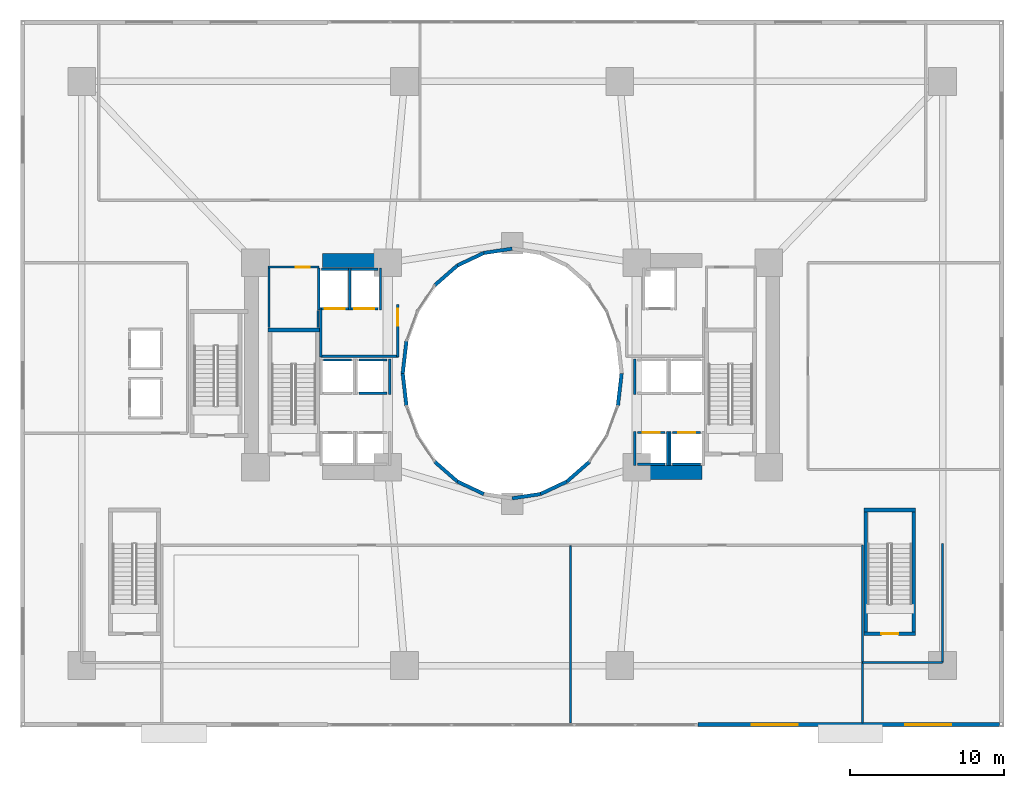
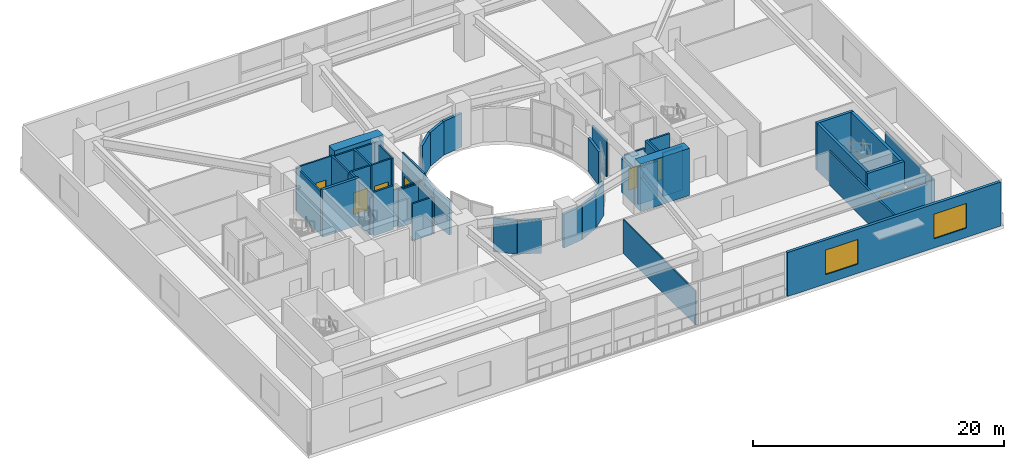
# One storey, part 16 of 25: 48 walls, 7 doors, 2 windows, 9 openings.
"""IFC4 building model written with IfcOpenShell, lengths in metres."""

from ifc_helpers import new_model, si_unit, direction, frame, frame_2d, origin, place, context, subcontext, project, spatial, rectangle, extrude, material, layer, layer_set, type_object, element, fill, save


model = new_model("IFC4")

# Units and contexts
model_context = context("Model", 3, precision=1e-05, world=origin(), true_north=direction((0.0, 1.0)))
body_context = subcontext(model_context, "Body", "Model", "MODEL_VIEW")
ifc_project = project(units=[si_unit("LENGTHUNIT", "METRE"), si_unit("AREAUNIT", "SQUARE_METRE"), si_unit("VOLUMEUNIT", "CUBIC_METRE"), si_unit("PLANEANGLEUNIT", "RADIAN"), si_unit("MASSUNIT", "GRAM", prefix="KILO")], contexts=[model_context])

# Site, building, storey
site_placement = place(None, origin())
site = spatial("IfcSite", under=ifc_project, at=site_placement, CompositionType="ELEMENT")
building_placement = place(site_placement, origin())
building = spatial("IfcBuilding", under=site, at=building_placement, Name="Solvane Sanctuary Tower", CompositionType="ELEMENT")
storey_placement = place(building_placement, frame((0.0, 0.0, 4.60009765625)))
storey = spatial("IfcBuildingStorey", under=building, at=storey_placement, Name="L02", CompositionType="ELEMENT", Elevation=4.60009765625)

# Walls
ifc_material_1 = material(Name="Concrete C70/85", Category="concrete")
ifc_layer_1 = layer(ifc_material_1, 0.89990234375, Name="Concrete C70/85")
ifc_layer_set_1 = layer_set([ifc_layer_1], Name="Concrete C70/85")
wall_type_1 = type_object("IfcWallType", Name="Wall W-CORE-900", PredefinedType="SHEAR", material=ifc_layer_set_1)
for number, where, z_axis, x_axis, name in (
    (1, (19.64990234375, 30.35009765625, 0.0), (0.0, 0.0, 1.0), (1.0, 0.0, 0.0), "L02 Core Shear Wall WC-N"),
    (2, (39.85009765625, 16.550048828125, 0.0), (0.0, 0.0, 1.0), (1.0, 0.0, 0.0), "L02 Core Shear Wall EC-S"),
):
    element("IfcWall", number, at=place(storey_placement, frame(where, z_axis=z_axis, x_axis=x_axis)), inside=storey, type_object=wall_type_1, Name=name, PredefinedType="SHEAR", context=body_context, shape_type="SweptSolid", body=[
        extrude(rectangle(XDim=4.5, YDim=0.89990234375, at=frame_2d((2.25, 0.0))), origin(), (0.0, 0.0, 1.0), 4.599853515625),
    ])
ifc_material_2 = material(Name="Acoustic Gypsum Partition Board")
ifc_layer_2 = layer(ifc_material_2, 0.14990234375, Name="Acoustic Gypsum Partition Board")
ifc_layer_set_2 = layer_set([ifc_layer_2], Name="Acoustic Gypsum Partition Board")
wall_type_2 = type_object("IfcWallType", Name="Wall W-CORR-150", PredefinedType="PARTITIONING", material=ifc_layer_set_2)
wall_1_placement = place(storey_placement, frame((19.52001953125, 24.1201171875, 0.0), z_axis=(0.0, 0.0, 1.0), x_axis=(1.0, 0.0, 0.0)))
element("IfcWall", 3, at=wall_1_placement, inside=storey, type_object=wall_type_2, Name="L02 West Firefighting Lobby South Wall", PredefinedType="PARTITIONING", context=body_context, shape_type="SweptSolid", body=[
    extrude(rectangle(XDim=5.080078125, YDim=0.14990234375, at=frame_2d((2.5400390625, 0.0))), origin(), (0.0, 0.0, 1.0), 3.619873046875),
])
wall_2_placement = place(storey_placement, frame((19.550048828125, 24.080078125, 0.0), z_axis=(0.0, 0.0, 1.0), x_axis=(0.0, 1.0, 0.0)))
element("IfcWall", 4, at=wall_2_placement, inside=storey, type_object=wall_type_2, Name="L02 West Firefighting Lobby West Wall", PredefinedType="PARTITIONING", context=body_context, shape_type="SweptSolid", body=[
    extrude(rectangle(XDim=3.199951171875, YDim=0.14990234375, at=frame_2d((1.60009765625, 0.0))), origin(), (0.0, 0.0, 1.0), 4.2548828125),
])

# Wall, opening, door
wall_3_placement = place(storey_placement, frame((24.550048828125, 24.080078125, 0.0), z_axis=(0.0, 0.0, 1.0), x_axis=(0.0, 1.0, 0.0)))
wall_3 = element("IfcWall", 5, at=wall_3_placement, inside=storey, type_object=wall_type_2, Name="L02 West Firefighting Lobby East Wall", PredefinedType="PARTITIONING", context=body_context, shape_type="SweptSolid", body=[
    extrude(rectangle(XDim=3.39990234375, YDim=0.14990234375, at=frame_2d((1.699951171875, 0.0))), origin(), (0.0, 0.0, 1.0), 4.2548828125),
])
opening_1_placement = place(wall_3_placement, frame((2.02001953125, 0.0, 0.0)))
opening_1 = element("IfcOpeningElement", 6, at=opening_1_placement, cuts=wall_3, Name="Opening D-L02-06", PredefinedType="OPENING", context=body_context, shape_type="SweptSolid", body=[
    extrude(rectangle(XDim=1.10009765625, YDim=2.10009765625, at=frame_2d((0.550048828125, 1.050048828125))), frame((0.0, 0.0849609375, 0.0), z_axis=(0.0, -1.0, 0.0), x_axis=(1.0, 0.0, 0.0)), (0.0, 0.0, 1.0), 0.169921875),
])
ifc_material_3 = material(Name="Architectural Stainless Steel 316", Category="steel")
door_type_1 = type_object("IfcDoorType", Name="Door D-FFL", OperationType="NOTDEFINED", PredefinedType="DOOR", material=ifc_material_3)
door_1_placement = place(opening_1_placement, origin())
door_1 = element("IfcDoor", 7, at=door_1_placement, inside=storey, type_object=door_type_1, Name="L02 West Firefighting Lobby Fire Door", OperationType="SINGLE_SWING_LEFT", OverallHeight=2.10009765625, OverallWidth=1.10009765625, PredefinedType="DOOR", context=body_context, shape_type="SweptSolid", body=[
    extrude(rectangle(XDim=1.10009765625, YDim=2.10009765625, at=frame_2d((0.550048828125, 1.050048828125))), frame((0.0, 0.02490234375, 0.0), z_axis=(0.0, -1.0, 0.0), x_axis=(1.0, 0.0, 0.0)), (0.0, 0.0, 1.0), 0.050048828125),
])
fill(opening_1, door_1)

# Walls
wall_4_placement = place(storey_placement, frame((54.800048828125, 0.25, 0.0), z_axis=(0.0, 0.0, 1.0), x_axis=(0.0, 1.0, 0.0)))
element("IfcWall", 8, at=wall_4_placement, inside=storey, type_object=wall_type_2, Name="L02 East Hall End Wall", PredefinedType="PARTITIONING", context=body_context, shape_type="SweptSolid", body=[
    extrude(rectangle(XDim=11.580078125, YDim=0.14990234375, at=frame_2d((5.7900390625, 0.0))), origin(), (0.0, 0.0, 1.0), 3.2998046875),
])
wall_5_placement = place(storey_placement, frame((60.0, 4.199951171875, 0.0), z_axis=(0.0, 0.0, 1.0), x_axis=(0.0, 1.0, 0.0)))
element("IfcWall", 9, at=wall_5_placement, inside=storey, type_object=wall_type_2, Name="L02 ST-5 Link East Wall", PredefinedType="PARTITIONING", context=body_context, shape_type="SweptSolid", body=[
    extrude(rectangle(XDim=7.75, YDim=0.14990234375, at=frame_2d((3.875, 0.0))), origin(), (0.0, 0.0, 1.0), 3.2998046875),
])
wall_6_placement = place(storey_placement, frame((54.800048828125, 4.199951171875, 0.0), z_axis=(0.0, 0.0, 1.0), x_axis=(1.0, 0.0, 0.0)))
element("IfcWall", 10, at=wall_6_placement, inside=storey, type_object=wall_type_2, Name="L02 ST-5 Lobby South Wall", PredefinedType="PARTITIONING", context=body_context, shape_type="SweptSolid", body=[
    extrude(rectangle(XDim=5.199951171875, YDim=0.14990234375, at=frame_2d((2.60009765625, 0.0))), origin(), (0.0, 0.0, 1.0), 3.2998046875),
])

# Wall, openings, windows
ifc_material_4 = material(Name="Precast concrete C40/50", Category="concrete")
ifc_layer_3 = layer(ifc_material_4, 0.260009765625, Name="Precast concrete C40/50")
ifc_layer_set_3 = layer_set([ifc_layer_3], Name="Precast concrete C40/50")
wall_type_3 = type_object("IfcWallType", Name="Wall W-EXT-250", PredefinedType="STANDARD", material=ifc_layer_set_3)
wall_7_placement = place(storey_placement, frame((44.080078125, 0.14990234375, 0.0), z_axis=(0.0, 0.0, 1.0), x_axis=(1.0, 0.0, 0.0)))
wall_7 = element("IfcWall", 11, at=wall_7_placement, inside=storey, type_object=wall_type_3, Name="L02 Podium Facade Wall S3", PredefinedType="STANDARD", context=body_context, shape_type="SweptSolid", body=[
    extrude(rectangle(XDim=19.639892578125, YDim=0.260009765625, at=frame_2d((9.81982421875, 0.0))), origin(), (0.0, 0.0, 1.0), 4.27978515625),
])
opening_2_placement = place(wall_7_placement, frame((3.5, 0.0, 0.89990234375)))
opening_2 = element("IfcOpeningElement", 12, at=opening_2_placement, cuts=wall_7, Name="Opening WN-POD-3000", PredefinedType="OPENING", context=body_context, shape_type="SweptSolid", body=[
    extrude(rectangle(XDim=3.0, YDim=2.39990234375, at=frame_2d((1.5, 1.199951171875))), frame((0.0, 0.139892578125, 0.0), z_axis=(0.0, -1.0, 0.0), x_axis=(1.0, 0.0, 0.0)), (0.0, 0.0, 1.0), 0.280029296875),
])
opening_3_placement = place(wall_7_placement, frame((13.5, 0.0, 0.89990234375)))
opening_3 = element("IfcOpeningElement", 13, at=opening_3_placement, cuts=wall_7, Name="Opening WN-POD-3000", PredefinedType="OPENING", context=body_context, shape_type="SweptSolid", body=[
    extrude(rectangle(XDim=3.0, YDim=2.39990234375, at=frame_2d((1.5, 1.199951171875))), frame((0.0, 0.139892578125, 0.0), z_axis=(0.0, -1.0, 0.0), x_axis=(1.0, 0.0, 0.0)), (0.0, 0.0, 1.0), 0.280029296875),
])
ifc_material_5 = material(Name="Dark Ceramic-Fritted Low-E Glass", Category="glass")
window_type = type_object("IfcWindowType", Name="Window WN-POD-3000", PartitioningType="SINGLE_PANEL", PredefinedType="WINDOW", material=ifc_material_5)
window_1_placement = place(opening_2_placement, origin())
window_1 = element("IfcWindow", 14, at=window_1_placement, inside=storey, type_object=window_type, Name="L02 Podium Window S3-3", OverallHeight=2.39990234375, OverallWidth=3.0, PartitioningType="SINGLE_PANEL", PredefinedType="WINDOW", context=body_context, shape_type="SweptSolid", body=[
    extrude(rectangle(XDim=3.0, YDim=2.39990234375, at=frame_2d((1.5, 1.199951171875))), frame((0.0, 0.030029296875, 0.0), z_axis=(0.0, -1.0, 0.0), x_axis=(1.0, 0.0, 0.0)), (0.0, 0.0, 1.0), 0.06005859375),
])
fill(opening_2, window_1)
window_2_placement = place(opening_3_placement, origin())
window_2 = element("IfcWindow", 15, at=window_2_placement, inside=storey, type_object=window_type, Name="L02 Podium Window S3-13", OverallHeight=2.39990234375, OverallWidth=3.0, PartitioningType="SINGLE_PANEL", PredefinedType="WINDOW", context=body_context, shape_type="SweptSolid", body=[
    extrude(rectangle(XDim=3.0, YDim=2.39990234375, at=frame_2d((1.5, 1.199951171875))), frame((0.0, 0.030029296875, 0.0), z_axis=(0.0, -1.0, 0.0), x_axis=(1.0, 0.0, 0.0)), (0.0, 0.0, 1.0), 0.06005859375),
])
fill(opening_3, window_2)

# Walls
ifc_layer_4 = layer(ifc_material_4, 0.22998046875, Name="Precast concrete C40/50")
ifc_layer_set_4 = layer_set([ifc_layer_4], Name="Precast concrete C40/50")
wall_type_4 = type_object("IfcWallType", Name="Wall W-EXT-SP220", PredefinedType="STANDARD", material=ifc_layer_set_4)
wall_8_placement = place(storey_placement, frame((32.0, 31.1201171875, 0.0), z_axis=(0.0, 0.0, 1.0), x_axis=(-0.988901730308, -0.148571086668, 0.0)))
element("IfcWall", 16, at=wall_8_placement, inside=storey, type_object=wall_type_4, Name="L02 Light-Well Enclosure Wall 06", PredefinedType="STANDARD", context=body_context, shape_type="SweptSolid", body=[
    extrude(rectangle(XDim=1.863525390625, YDim=0.22998046875, at=frame_2d((0.931640625, 0.0))), origin(), (0.0, 0.0, 1.0), 3.27978515625),
])
wall_9_placement = place(storey_placement, frame((30.1572265625, 30.84326171875, 0.0), z_axis=(0.0, 0.0, 1.0), x_axis=(-0.904179699603, -0.427152280606, 0.0)))
element("IfcWall", 17, at=wall_9_placement, inside=storey, type_object=wall_type_4, Name="L02 Light-Well Enclosure Wall 07", PredefinedType="STANDARD", context=body_context, shape_type="SweptSolid", body=[
    extrude(rectangle(XDim=1.899169921875, YDim=0.22998046875, at=frame_2d((0.94970703125, 0.0))), origin(), (0.0, 0.0, 1.0), 3.27978515625),
])
wall_10_placement = place(storey_placement, frame((28.43994140625, 30.031982421875, 0.0), z_axis=(0.0, 0.0, 1.0), x_axis=(-0.752576694707, -0.658504607869, 0.0)))
element("IfcWall", 18, at=wall_10_placement, inside=storey, type_object=wall_type_4, Name="L02 Light-Well Enclosure Wall 08", PredefinedType="STANDARD", context=body_context, shape_type="SweptSolid", body=[
    extrude(rectangle(XDim=1.95947265625, YDim=0.22998046875, at=frame_2d((0.979736328125, 0.0))), origin(), (0.0, 0.0, 1.0), 3.27978515625),
])
for number, where, z_axis, x_axis, name in (
    (19, (25.12255859375, 25.1015625, 0.0), (0.0, 0.0, 1.0), (-0.114711713601, -0.993398823617, 0.0), "L02 Light-Well Enclosure Wall 11"),
    (20, (24.8798828125, 23.0, 0.0), (0.0, 0.0, 1.0), (0.114711713601, -0.993398823617, 0.0), "L02 Light-Well Enclosure Wall 12"),
):
    element("IfcWall", number, at=place(storey_placement, frame(where, z_axis=z_axis, x_axis=x_axis)), inside=storey, type_object=wall_type_4, Name=name, PredefinedType="STANDARD", context=body_context, shape_type="SweptSolid", body=[
        extrude(rectangle(XDim=2.115478515625, YDim=0.22998046875, at=frame_2d((1.0576171875, 0.0))), origin(), (0.0, 0.0, 1.0), 3.27978515625),
    ])
wall_11_placement = place(storey_placement, frame((26.96533203125, 17.25830078125, 0.0), z_axis=(0.0, 0.0, 1.0), x_axis=(0.752576694707, -0.658504607869, 0.0)))
element("IfcWall", 21, at=wall_11_placement, inside=storey, type_object=wall_type_4, Name="L02 Light-Well Enclosure Wall 15", PredefinedType="STANDARD", context=body_context, shape_type="SweptSolid", body=[
    extrude(rectangle(XDim=1.95947265625, YDim=0.22998046875, at=frame_2d((0.979736328125, 0.0))), origin(), (0.0, 0.0, 1.0), 3.27978515625),
])
wall_12_placement = place(storey_placement, frame((28.43994140625, 15.968017578125, 0.0), z_axis=(0.0, 0.0, 1.0), x_axis=(0.904179699603, -0.427152280606, 0.0)))
element("IfcWall", 22, at=wall_12_placement, inside=storey, type_object=wall_type_4, Name="L02 Light-Well Enclosure Wall 16", PredefinedType="STANDARD", context=body_context, shape_type="SweptSolid", body=[
    extrude(rectangle(XDim=1.899169921875, YDim=0.22998046875, at=frame_2d((0.94970703125, 0.0))), origin(), (0.0, 0.0, 1.0), 3.27978515625),
])
wall_13_placement = place(storey_placement, frame((32.0, 14.8798828125, 0.0), z_axis=(0.0, 0.0, 1.0), x_axis=(0.988901730308, 0.148571086668, 0.0)))
element("IfcWall", 23, at=wall_13_placement, inside=storey, type_object=wall_type_4, Name="L02 Light-Well Enclosure Wall 18", PredefinedType="STANDARD", context=body_context, shape_type="SweptSolid", body=[
    extrude(rectangle(XDim=1.863525390625, YDim=0.22998046875, at=frame_2d((0.931640625, 0.0))), origin(), (0.0, 0.0, 1.0), 3.27978515625),
])
wall_14_placement = place(storey_placement, frame((33.8427734375, 15.15673828125, 0.0), z_axis=(0.0, 0.0, 1.0), x_axis=(0.904179699603, 0.427152280606, 0.0)))
element("IfcWall", 24, at=wall_14_placement, inside=storey, type_object=wall_type_4, Name="L02 Light-Well Enclosure Wall 19", PredefinedType="STANDARD", context=body_context, shape_type="SweptSolid", body=[
    extrude(rectangle(XDim=1.899169921875, YDim=0.22998046875, at=frame_2d((0.94970703125, 0.0))), origin(), (0.0, 0.0, 1.0), 3.27978515625),
])
wall_15_placement = place(storey_placement, frame((35.56005859375, 15.968017578125, 0.0), z_axis=(0.0, 0.0, 1.0), x_axis=(0.752576694707, 0.658504607869, 0.0)))
element("IfcWall", 25, at=wall_15_placement, inside=storey, type_object=wall_type_4, Name="L02 Light-Well Enclosure Wall 20", PredefinedType="STANDARD", context=body_context, shape_type="SweptSolid", body=[
    extrude(rectangle(XDim=1.95947265625, YDim=0.22998046875, at=frame_2d((0.979736328125, 0.0))), origin(), (0.0, 0.0, 1.0), 3.27978515625),
])
wall_16_placement = place(storey_placement, frame((38.87744140625, 20.8984375, 0.0), z_axis=(0.0, 0.0, 1.0), x_axis=(0.114711713601, 0.993398823617, 0.0)))
element("IfcWall", 26, at=wall_16_placement, inside=storey, type_object=wall_type_4, Name="L02 Light-Well Enclosure Wall 23", PredefinedType="STANDARD", context=body_context, shape_type="SweptSolid", body=[
    extrude(rectangle(XDim=2.115478515625, YDim=0.22998046875, at=frame_2d((1.0576171875, 0.0))), origin(), (0.0, 0.0, 1.0), 3.27978515625),
])
ifc_layer_5 = layer(ifc_material_2, 0.1201171875, Name="Acoustic Gypsum Partition Board")
ifc_layer_set_5 = layer_set([ifc_layer_5], Name="Acoustic Gypsum Partition Board")
wall_type_5 = type_object("IfcWallType", Name="Wall W-MOV-100", PredefinedType="MOVABLE", material=ifc_layer_set_5)
wall_17_placement = place(storey_placement, frame((35.800048828125, 0.25, 0.0), z_axis=(0.0, 0.0, 1.0), x_axis=(0.0, 1.0, 0.0)))
element("IfcWall", 27, at=wall_17_placement, inside=storey, type_object=wall_type_5, Name="L02 Hall Dividing Partition PRAY-M", PredefinedType="MOVABLE", context=body_context, shape_type="SweptSolid", body=[
    extrude(rectangle(XDim=11.530029296875, YDim=0.1201171875, at=frame_2d((5.76513671875, 0.0))), origin(), (0.0, 0.0, 1.0), 3.2998046875),
])

# Wall, opening, door
ifc_material_6 = material(Name="Concrete C50/60", Category="concrete")
ifc_layer_6 = layer(ifc_material_6, 0.14990234375, Name="Concrete C50/60")
ifc_layer_set_6 = layer_set([ifc_layer_6], Name="Concrete C50/60")
wall_type_6 = type_object("IfcWallType", Name="Wall W-SHAFT-150", PredefinedType="SOLIDWALL", material=ifc_layer_set_6)
wall_18_placement = place(storey_placement, frame((40.139892578125, 19.159912109375, 0.0), z_axis=(0.0, 0.0, 1.0), x_axis=(1.0, 0.0, 0.0)))
wall_18 = element("IfcWall", 28, at=wall_18_placement, inside=storey, type_object=wall_type_6, Name="L02 PL-3 Lift Shaft Wall F", PredefinedType="SOLIDWALL", context=body_context, shape_type="SweptSolid", body=[
    extrude(rectangle(XDim=1.820068359375, YDim=0.14990234375, at=frame_2d((0.91015625, 0.0))), origin(), (0.0, 0.0, 1.0), 3.619873046875),
])
opening_4_placement = place(wall_18_placement, frame((0.360107421875, 0.0, 0.0)))
opening_4 = element("IfcOpeningElement", 29, at=opening_4_placement, cuts=wall_18, Name="Opening LD-L02-03", PredefinedType="OPENING", context=body_context, shape_type="SweptSolid", body=[
    extrude(rectangle(XDim=1.10009765625, YDim=2.10009765625, at=frame_2d((0.550048828125, 1.050048828125))), frame((0.0, 0.0849609375, 0.0), z_axis=(0.0, -1.0, 0.0), x_axis=(1.0, 0.0, 0.0)), (0.0, 0.0, 1.0), 0.169921875),
])
door_type_2 = type_object("IfcDoorType", Name="Door LD-PASS-1100", OperationType="NOTDEFINED", PredefinedType="DOOR", material=ifc_material_3)
door_2_placement = place(opening_4_placement, origin())
door_2 = element("IfcDoor", 30, at=door_2_placement, inside=storey, type_object=door_type_2, Name="L02 PL-3 Lift Landing Door", OperationType="DOUBLE_DOOR_SLIDING", OverallHeight=2.10009765625, OverallWidth=1.10009765625, PredefinedType="DOOR", context=body_context, shape_type="SweptSolid", body=[
    extrude(rectangle(XDim=1.10009765625, YDim=2.10009765625, at=frame_2d((0.550048828125, 1.050048828125))), frame((0.0, 0.02490234375, 0.0), z_axis=(0.0, -1.0, 0.0), x_axis=(1.0, 0.0, 0.0)), (0.0, 0.0, 1.0), 0.050048828125),
])
fill(opening_4, door_2)

# Walls
wall_19_placement = place(storey_placement, frame((40.139892578125, 17.10009765625, 0.0), z_axis=(0.0, 0.0, 1.0), x_axis=(1.0, 0.0, 0.0)))
element("IfcWall", 31, at=wall_19_placement, inside=storey, type_object=wall_type_6, Name="L02 PL-3 Lift Shaft Wall B", PredefinedType="SOLIDWALL", context=body_context, shape_type="SweptSolid", body=[
    extrude(rectangle(XDim=1.820068359375, YDim=0.14990234375, at=frame_2d((0.91015625, 0.0))), origin(), (0.0, 0.0, 1.0), 3.619873046875),
])
wall_20_placement = place(storey_placement, frame((39.969970703125, 17.02001953125, 0.0), z_axis=(0.0, 0.0, 1.0), x_axis=(0.0, 1.0, 0.0)))
element("IfcWall", 32, at=wall_20_placement, inside=storey, type_object=wall_type_6, Name="L02 PL-3 Lift Shaft Wall S1", PredefinedType="SOLIDWALL", context=body_context, shape_type="SweptSolid", body=[
    extrude(rectangle(XDim=2.219970703125, YDim=0.14990234375, at=frame_2d((1.10986328125, 0.0))), origin(), (0.0, 0.0, 1.0), 3.2998046875),
])
wall_21_placement = place(storey_placement, frame((42.1298828125, 17.02001953125, 0.0), z_axis=(0.0, 0.0, 1.0), x_axis=(0.0, 1.0, 0.0)))
element("IfcWall", 33, at=wall_21_placement, inside=storey, type_object=wall_type_6, Name="L02 PL-3 Lift Shaft Wall S2", PredefinedType="SOLIDWALL", context=body_context, shape_type="SweptSolid", body=[
    extrude(rectangle(XDim=2.219970703125, YDim=0.14990234375, at=frame_2d((1.10986328125, 0.0))), origin(), (0.0, 0.0, 1.0), 4.2548828125),
])

# Wall, opening, door
wall_22_placement = place(storey_placement, frame((42.43994140625, 19.159912109375, 0.0), z_axis=(0.0, 0.0, 1.0), x_axis=(1.0, 0.0, 0.0)))
wall_22 = element("IfcWall", 34, at=wall_22_placement, inside=storey, type_object=wall_type_6, Name="L02 PL-4 Lift Shaft Wall F", PredefinedType="SOLIDWALL", context=body_context, shape_type="SweptSolid", body=[
    extrude(rectangle(XDim=1.820068359375, YDim=0.14990234375, at=frame_2d((0.91015625, 0.0))), origin(), (0.0, 0.0, 1.0), 4.2548828125),
])
opening_5_placement = place(wall_22_placement, frame((0.360107421875, 0.0, 0.0)))
opening_5 = element("IfcOpeningElement", 35, at=opening_5_placement, cuts=wall_22, Name="Opening LD-L02-04", PredefinedType="OPENING", context=body_context, shape_type="SweptSolid", body=[
    extrude(rectangle(XDim=1.10009765625, YDim=2.10009765625, at=frame_2d((0.550048828125, 1.050048828125))), frame((0.0, 0.0849609375, 0.0), z_axis=(0.0, -1.0, 0.0), x_axis=(1.0, 0.0, 0.0)), (0.0, 0.0, 1.0), 0.169921875),
])
door_3_placement = place(opening_5_placement, origin())
door_3 = element("IfcDoor", 36, at=door_3_placement, inside=storey, type_object=door_type_2, Name="L02 PL-4 Lift Landing Door", OperationType="DOUBLE_DOOR_SLIDING", OverallHeight=2.10009765625, OverallWidth=1.10009765625, PredefinedType="DOOR", context=body_context, shape_type="SweptSolid", body=[
    extrude(rectangle(XDim=1.10009765625, YDim=2.10009765625, at=frame_2d((0.550048828125, 1.050048828125))), frame((0.0, 0.02490234375, 0.0), z_axis=(0.0, -1.0, 0.0), x_axis=(1.0, 0.0, 0.0)), (0.0, 0.0, 1.0), 0.050048828125),
])
fill(opening_5, door_3)

# Walls
wall_23_placement = place(storey_placement, frame((42.43994140625, 17.10009765625, 0.0), z_axis=(0.0, 0.0, 1.0), x_axis=(1.0, 0.0, 0.0)))
element("IfcWall", 37, at=wall_23_placement, inside=storey, type_object=wall_type_6, Name="L02 PL-4 Lift Shaft Wall B", PredefinedType="SOLIDWALL", context=body_context, shape_type="SweptSolid", body=[
    extrude(rectangle(XDim=1.820068359375, YDim=0.14990234375, at=frame_2d((0.91015625, 0.0))), origin(), (0.0, 0.0, 1.0), 4.2548828125),
])
wall_24_placement = place(storey_placement, frame((42.27001953125, 17.02001953125, 0.0), z_axis=(0.0, 0.0, 1.0), x_axis=(0.0, 1.0, 0.0)))
element("IfcWall", 38, at=wall_24_placement, inside=storey, type_object=wall_type_6, Name="L02 PL-4 Lift Shaft Wall S1", PredefinedType="SOLIDWALL", context=body_context, shape_type="SweptSolid", body=[
    extrude(rectangle(XDim=2.219970703125, YDim=0.14990234375, at=frame_2d((1.10986328125, 0.0))), origin(), (0.0, 0.0, 1.0), 4.2548828125),
])
wall_25_placement = place(storey_placement, frame((19.739990234375, 23.8798828125, 0.0), z_axis=(0.0, 0.0, 1.0), x_axis=(1.0, 0.0, 0.0)))
element("IfcWall", 39, at=wall_25_placement, inside=storey, type_object=wall_type_6, Name="L02 PM-1 Lift Shaft Wall B", PredefinedType="SOLIDWALL", context=body_context, shape_type="SweptSolid", body=[
    extrude(rectangle(XDim=1.820068359375, YDim=0.14990234375, at=frame_2d((0.91015625, 0.0))), origin(), (0.0, 0.0, 1.0), 4.2548828125),
])
for number, where, z_axis, x_axis, name in (
    (40, (22.0400390625, 21.719970703125, 0.0), (0.0, 0.0, 1.0), (1.0, 0.0, 0.0), "L02 PH-1 Lift Shaft Wall F"),
    (41, (22.0400390625, 23.8798828125, 0.0), (0.0, 0.0, 1.0), (1.0, 0.0, 0.0), "L02 PH-1 Lift Shaft Wall B"),
):
    element("IfcWall", number, at=place(storey_placement, frame(where, z_axis=z_axis, x_axis=x_axis)), inside=storey, type_object=wall_type_6, Name=name, PredefinedType="SOLIDWALL", context=body_context, shape_type="SweptSolid", body=[
        extrude(rectangle(XDim=1.820068359375, YDim=0.14990234375, at=frame_2d((0.91015625, 0.0))), origin(), (0.0, 0.0, 1.0), 3.619873046875),
    ])
for number, where, z_axis, x_axis, name in (
    (42, (24.030029296875, 21.639892578125, 0.0), (0.0, 0.0, 1.0), (0.0, 1.0, 0.0), "L02 PH-1 Lift Shaft Wall S2"),
    (43, (39.969970703125, 21.639892578125, 0.0), (0.0, 0.0, 1.0), (0.0, 1.0, 0.0), "L02 PH-2 Lift Shaft Wall S1"),
):
    element("IfcWall", number, at=place(storey_placement, frame(where, z_axis=z_axis, x_axis=x_axis)), inside=storey, type_object=wall_type_6, Name=name, PredefinedType="SOLIDWALL", context=body_context, shape_type="SweptSolid", body=[
        extrude(rectangle(XDim=2.320068359375, YDim=0.14990234375, at=frame_2d((1.16015625, 0.0))), origin(), (0.0, 0.0, 1.0), 3.619873046875),
    ])

# Wall, opening, door
wall_26_placement = place(storey_placement, frame((19.590087890625, 27.219970703125, 0.0), z_axis=(0.0, 0.0, 1.0), x_axis=(1.0, 0.0, 0.0)))
wall_26 = element("IfcWall", 44, at=wall_26_placement, inside=storey, type_object=wall_type_6, Name="L02 FFL-1 Lift Shaft Wall F", PredefinedType="SOLIDWALL", context=body_context, shape_type="SweptSolid", body=[
    extrude(rectangle(XDim=1.760009765625, YDim=0.14990234375, at=frame_2d((0.8798828125, 0.0))), origin(), (0.0, 0.0, 1.0), 4.2548828125),
])
opening_6_placement = place(wall_26_placement, frame((0.22998046875, 0.0, 0.0)))
opening_6 = element("IfcOpeningElement", 45, at=opening_6_placement, cuts=wall_26, Name="Opening LD-L02-05", PredefinedType="OPENING", context=body_context, shape_type="SweptSolid", body=[
    extrude(rectangle(XDim=1.300048828125, YDim=2.10009765625, at=frame_2d((0.64990234375, 1.050048828125))), frame((0.0, 0.0849609375, 0.0), z_axis=(0.0, -1.0, 0.0), x_axis=(1.0, 0.0, 0.0)), (0.0, 0.0, 1.0), 0.169921875),
])
door_type_3 = type_object("IfcDoorType", Name="Door LD-FFL-1300", OperationType="NOTDEFINED", PredefinedType="DOOR", material=ifc_material_3)
door_4_placement = place(opening_6_placement, origin())
door_4 = element("IfcDoor", 46, at=door_4_placement, inside=storey, type_object=door_type_3, Name="L02 FFL-1 Lift Landing Door", OperationType="DOUBLE_DOOR_SLIDING", OverallHeight=2.10009765625, OverallWidth=1.300048828125, PredefinedType="DOOR", context=body_context, shape_type="SweptSolid", body=[
    extrude(rectangle(XDim=1.300048828125, YDim=2.10009765625, at=frame_2d((0.64990234375, 1.050048828125))), frame((0.0, 0.02490234375, 0.0), z_axis=(0.0, -1.0, 0.0), x_axis=(1.0, 0.0, 0.0)), (0.0, 0.0, 1.0), 0.050048828125),
])
fill(opening_6, door_4)

# Walls
wall_27_placement = place(storey_placement, frame((19.590087890625, 29.780029296875, 0.0), z_axis=(0.0, 0.0, 1.0), x_axis=(1.0, 0.0, 0.0)))
element("IfcWall", 47, at=wall_27_placement, inside=storey, type_object=wall_type_6, Name="L02 FFL-1 Lift Shaft Wall B", PredefinedType="SOLIDWALL", context=body_context, shape_type="SweptSolid", body=[
    extrude(rectangle(XDim=1.760009765625, YDim=0.14990234375, at=frame_2d((0.8798828125, 0.0))), origin(), (0.0, 0.0, 1.0), 4.2548828125),
])
for number, where, z_axis, x_axis, name in (
    (48, (19.419921875, 27.139892578125, 0.0), (0.0, 0.0, 1.0), (0.0, 1.0, 0.0), "L02 FFL-1 Lift Shaft Wall S1"),
    (49, (21.425048828125, 27.139892578125, 0.0), (0.0, 0.0, 1.0), (0.0, 1.0, 0.0), "L02 FFL-1 Lift Shaft Wall S2"),
):
    element("IfcWall", number, at=place(storey_placement, frame(where, z_axis=z_axis, x_axis=x_axis)), inside=storey, type_object=wall_type_6, Name=name, PredefinedType="SOLIDWALL", context=body_context, shape_type="SweptSolid", body=[
        extrude(rectangle(XDim=2.72021484375, YDim=0.14990234375, at=frame_2d((1.360107421875, 0.0))), origin(), (0.0, 0.0, 1.0), 4.2548828125),
    ])

# Wall, opening, door
wall_28_placement = place(storey_placement, frame((21.5, 27.219970703125, 0.0), z_axis=(0.0, 0.0, 1.0), x_axis=(1.0, 0.0, 0.0)))
wall_28 = element("IfcWall", 50, at=wall_28_placement, inside=storey, type_object=wall_type_6, Name="L02 SVL-1 Lift Shaft Wall F", PredefinedType="SOLIDWALL", context=body_context, shape_type="SweptSolid", body=[
    extrude(rectangle(XDim=1.760009765625, YDim=0.14990234375, at=frame_2d((0.8798828125, 0.0))), origin(), (0.0, 0.0, 1.0), 4.2548828125),
])
opening_7_placement = place(wall_28_placement, frame((0.22998046875, 0.0, 0.0)))
opening_7 = element("IfcOpeningElement", 51, at=opening_7_placement, cuts=wall_28, Name="Opening LD-L02-06", PredefinedType="OPENING", context=body_context, shape_type="SweptSolid", body=[
    extrude(rectangle(XDim=1.300048828125, YDim=2.10009765625, at=frame_2d((0.64990234375, 1.050048828125))), frame((0.0, 0.0849609375, 0.0), z_axis=(0.0, -1.0, 0.0), x_axis=(1.0, 0.0, 0.0)), (0.0, 0.0, 1.0), 0.169921875),
])
door_5_placement = place(opening_7_placement, origin())
door_5 = element("IfcDoor", 52, at=door_5_placement, inside=storey, type_object=door_type_3, Name="L02 SVL-1 Lift Landing Door", OperationType="DOUBLE_DOOR_SLIDING", OverallHeight=2.10009765625, OverallWidth=1.300048828125, PredefinedType="DOOR", context=body_context, shape_type="SweptSolid", body=[
    extrude(rectangle(XDim=1.300048828125, YDim=2.10009765625, at=frame_2d((0.64990234375, 1.050048828125))), frame((0.0, 0.02490234375, 0.0), z_axis=(0.0, -1.0, 0.0), x_axis=(1.0, 0.0, 0.0)), (0.0, 0.0, 1.0), 0.050048828125),
])
fill(opening_7, door_5)

# Walls
wall_29_placement = place(storey_placement, frame((21.5, 29.780029296875, 0.0), z_axis=(0.0, 0.0, 1.0), x_axis=(1.0, 0.0, 0.0)))
element("IfcWall", 53, at=wall_29_placement, inside=storey, type_object=wall_type_6, Name="L02 SVL-1 Lift Shaft Wall B", PredefinedType="SOLIDWALL", context=body_context, shape_type="SweptSolid", body=[
    extrude(rectangle(XDim=1.760009765625, YDim=0.14990234375, at=frame_2d((0.8798828125, 0.0))), origin(), (0.0, 0.0, 1.0), 4.2548828125),
])
wall_30_placement = place(storey_placement, frame((23.429931640625, 27.139892578125, 0.0), z_axis=(0.0, 0.0, 1.0), x_axis=(0.0, 1.0, 0.0)))
element("IfcWall", 54, at=wall_30_placement, inside=storey, type_object=wall_type_6, Name="L02 SVL-1 Lift Shaft Wall S2", PredefinedType="SOLIDWALL", context=body_context, shape_type="SweptSolid", body=[
    extrude(rectangle(XDim=2.72021484375, YDim=0.14990234375, at=frame_2d((1.360107421875, 0.0))), origin(), (0.0, 0.0, 1.0), 4.2548828125),
])
ifc_layer_7 = layer(ifc_material_6, 0.25, Name="Concrete C50/60")
ifc_layer_set_7 = layer_set([ifc_layer_7], Name="Concrete C50/60")
wall_type_7 = type_object("IfcWallType", Name="Wall W-SHAFT-250", PredefinedType="SOLIDWALL", material=ifc_layer_set_7)
wall_31_placement = place(storey_placement, frame((16.10498046875, 25.830078125, 0.0), z_axis=(0.0, 0.0, 1.0), x_axis=(1.0, 0.0, 0.0)))
element("IfcWall", 55, at=wall_31_placement, inside=storey, type_object=wall_type_7, Name="L02 ST-1 Load-Bearing Shaft Wall N", PredefinedType="SOLIDWALL", context=body_context, shape_type="SweptSolid", body=[
    extrude(rectangle(XDim=3.3701171875, YDim=0.25, at=frame_2d((1.68505859375, 0.0))), origin(), (0.0, 0.0, 1.0), 4.599853515625),
])

# Wall, opening, door
wall_32_placement = place(storey_placement, frame((54.885009765625, 6.070068359375, 0.0), z_axis=(0.0, 0.0, 1.0), x_axis=(1.0, 0.0, 0.0)))
wall_32 = element("IfcWall", 56, at=wall_32_placement, inside=storey, type_object=wall_type_7, Name="L02 ST-5 Load-Bearing Shaft Wall S", PredefinedType="SOLIDWALL", context=body_context, shape_type="SweptSolid", body=[
    extrude(rectangle(XDim=3.369873046875, YDim=0.25, at=frame_2d((1.68505859375, 0.0))), origin(), (0.0, 0.0, 1.0), 4.599853515625),
])
opening_8_placement = place(wall_32_placement, frame((1.135009765625, 0.0, 0.0)))
opening_8 = element("IfcOpeningElement", 57, at=opening_8_placement, cuts=wall_32, Name="Opening D-L02-05", PredefinedType="OPENING", context=body_context, shape_type="SweptSolid", body=[
    extrude(rectangle(XDim=1.10009765625, YDim=2.10009765625, at=frame_2d((0.550048828125, 1.050048828125))), frame((0.0, 0.135009765625, 0.0), z_axis=(0.0, -1.0, 0.0), x_axis=(1.0, 0.0, 0.0)), (0.0, 0.0, 1.0), 0.27001953125),
])
door_type_4 = type_object("IfcDoorType", Name="Door D-STAIR", OperationType="NOTDEFINED", PredefinedType="DOOR", material=ifc_material_3)
door_6_placement = place(opening_8_placement, origin())
door_6 = element("IfcDoor", 58, at=door_6_placement, inside=storey, type_object=door_type_4, Name="L02 ST-5 Exit Stair Fire Door", OperationType="SINGLE_SWING_RIGHT", OverallHeight=2.10009765625, OverallWidth=1.10009765625, PredefinedType="DOOR", context=body_context, shape_type="SweptSolid", body=[
    extrude(rectangle(XDim=1.10009765625, YDim=2.10009765625, at=frame_2d((0.550048828125, 1.050048828125))), frame((0.0, 0.02490234375, 0.0), z_axis=(0.0, -1.0, 0.0), x_axis=(1.0, 0.0, 0.0)), (0.0, 0.0, 1.0), 0.050048828125),
])
fill(opening_8, door_6)

# Walls
wall_33_placement = place(storey_placement, frame((54.885009765625, 14.1298828125, 0.0), z_axis=(0.0, 0.0, 1.0), x_axis=(1.0, 0.0, 0.0)))
element("IfcWall", 59, at=wall_33_placement, inside=storey, type_object=wall_type_7, Name="L02 ST-5 Load-Bearing Shaft Wall N", PredefinedType="SOLIDWALL", context=body_context, shape_type="SweptSolid", body=[
    extrude(rectangle(XDim=3.369873046875, YDim=0.25, at=frame_2d((1.68505859375, 0.0))), origin(), (0.0, 0.0, 1.0), 4.599853515625),
])
for number, where, z_axis, x_axis, name in (
    (60, (55.010009765625, 6.195068359375, 0.0), (0.0, 0.0, 1.0), (0.0, 1.0, 0.0), "L02 ST-5 Load-Bearing Shaft Wall W"),
    (61, (58.1298828125, 6.195068359375, 0.0), (0.0, 0.0, 1.0), (0.0, 1.0, 0.0), "L02 ST-5 Load-Bearing Shaft Wall E"),
):
    element("IfcWall", number, at=place(storey_placement, frame(where, z_axis=z_axis, x_axis=x_axis)), inside=storey, type_object=wall_type_7, Name=name, PredefinedType="SOLIDWALL", context=body_context, shape_type="SweptSolid", body=[
        extrude(rectangle(XDim=7.809814453125, YDim=0.25, at=frame_2d((3.90478515625, 0.0))), origin(), (0.0, 0.0, 1.0), 4.599853515625),
    ])

# Wall, opening, door
ifc_layer_8 = layer(ifc_material_2, 0.139892578125, Name="Acoustic Gypsum Partition Board")
ifc_layer_set_8 = layer_set([ifc_layer_8], Name="Acoustic Gypsum Partition Board")
wall_type_8 = type_object("IfcWallType", Name="Wall W-WET-140", PredefinedType="PLUMBINGWALL", material=ifc_layer_set_8)
wall_34_placement = place(storey_placement, frame((16.1201171875, 29.919921875, 0.0), z_axis=(0.0, 0.0, 1.0), x_axis=(1.0, 0.0, 0.0)))
wall_34 = element("IfcWall", 62, at=wall_34_placement, inside=storey, type_object=wall_type_8, Name="L02 Core WC Front Wall", PredefinedType="PLUMBINGWALL", context=body_context, shape_type="SweptSolid", body=[
    extrude(rectangle(XDim=3.2998046875, YDim=0.139892578125, at=frame_2d((1.64990234375, 0.0))), origin(), (0.0, 0.0, 1.0), 4.2548828125),
])
opening_9_placement = place(wall_34_placement, frame((1.81298828125, 0.0, 0.0)))
opening_9 = element("IfcOpeningElement", 63, at=opening_9_placement, cuts=wall_34, Name="Opening D-L02-15", PredefinedType="OPENING", context=body_context, shape_type="SweptSolid", body=[
    extrude(rectangle(XDim=0.89990234375, YDim=2.10009765625, at=frame_2d((0.449951171875, 1.050048828125))), frame((0.0, 0.079833984375, 0.0), z_axis=(0.0, -1.0, 0.0), x_axis=(1.0, 0.0, 0.0)), (0.0, 0.0, 1.0), 0.159912109375),
])
ifc_material_7 = material(Name="Engineered Tropical Hardwood", Category="wood")
door_type_5 = type_object("IfcDoorType", Name="Door D-WET-900", OperationType="NOTDEFINED", PredefinedType="DOOR", material=ifc_material_7)
door_7_placement = place(opening_9_placement, origin())
door_7 = element("IfcDoor", 64, at=door_7_placement, inside=storey, type_object=door_type_5, Name="L02 Core WC Door", OperationType="SINGLE_SWING_RIGHT", OverallHeight=2.10009765625, OverallWidth=0.89990234375, PredefinedType="DOOR", context=body_context, shape_type="SweptSolid", body=[
    extrude(rectangle(XDim=0.89990234375, YDim=2.10009765625, at=frame_2d((0.449951171875, 1.050048828125))), frame((0.0, 0.02490234375, 0.0), z_axis=(0.0, -1.0, 0.0), x_axis=(1.0, 0.0, 0.0)), (0.0, 0.0, 1.0), 0.050048828125),
])
fill(opening_9, door_7)

# Walls
wall_35_placement = place(storey_placement, frame((16.179931640625, 25.97998046875, 0.0), z_axis=(0.0, 0.0, 1.0), x_axis=(0.0, 1.0, 0.0)))
element("IfcWall", 65, at=wall_35_placement, inside=storey, type_object=wall_type_8, Name="L02 Core WC West Wall", PredefinedType="PLUMBINGWALL", context=body_context, shape_type="SweptSolid", body=[
    extrude(rectangle(XDim=3.880126953125, YDim=0.139892578125, at=frame_2d((1.93994140625, 0.0))), origin(), (0.0, 0.0, 1.0), 4.2548828125),
])
wall_36_placement = place(storey_placement, frame((19.360107421875, 25.97998046875, 0.0), z_axis=(0.0, 0.0, 1.0), x_axis=(0.0, 1.0, 0.0)))
element("IfcWall", 66, at=wall_36_placement, inside=storey, type_object=wall_type_8, Name="L02 Core WC East Closer", PredefinedType="PLUMBINGWALL", context=body_context, shape_type="SweptSolid", body=[
    extrude(rectangle(XDim=1.1201171875, YDim=0.139892578125, at=frame_2d((0.56005859375, 0.0))), origin(), (0.0, 0.0, 1.0), 4.2548828125),
])

save(model, "model.ifc")
